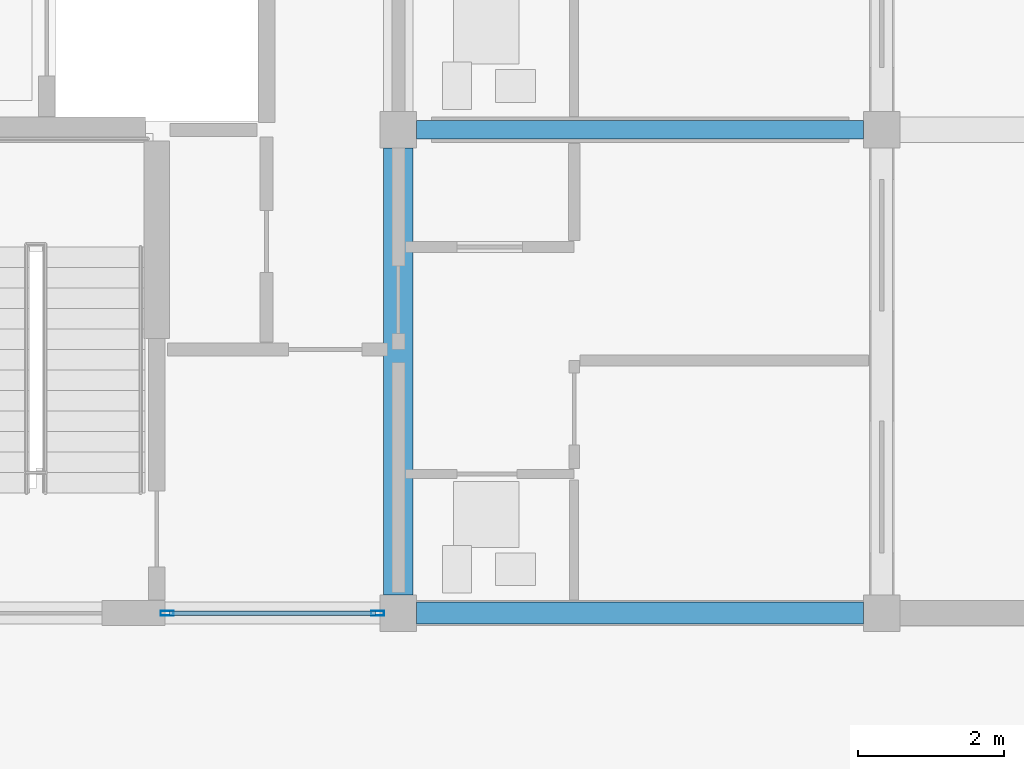
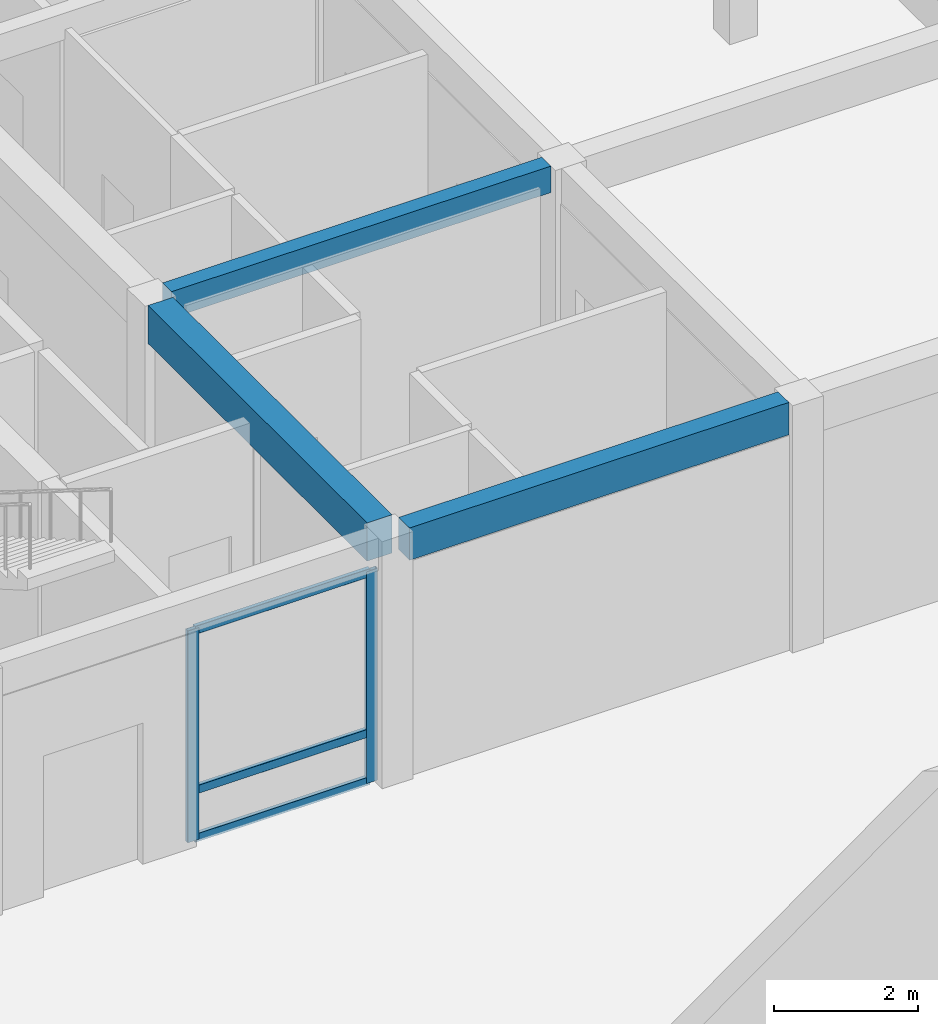
# One storey, part 38 of 75: 5 members, 3 beams, 1 element without a shape of its own.
"""IFC4 building model written with IfcOpenShell, lengths in metres."""

from ifc_helpers import new_model, si_unit, direction, frame, origin, origin_2d, place, context, subcontext, project, spatial, rectangle, hollow_rectangle, extrude, material, material_profile, profile_set, type_object, element, aggregate, save


model = new_model("IFC4")

# Units and contexts
model_context = context("Model", 3, precision=1e-05, world=origin(), true_north=direction((0.0, 1.0)))
body_context = subcontext(model_context, "Body", "Model", "MODEL_VIEW")
ifc_project = project(units=[si_unit("LENGTHUNIT", "METRE"), si_unit("AREAUNIT", "SQUARE_METRE"), si_unit("VOLUMEUNIT", "CUBIC_METRE"), si_unit("PLANEANGLEUNIT", "RADIAN"), si_unit("MASSUNIT", "GRAM", prefix="KILO")], contexts=[model_context])

# Site, building, storey
site_placement = place(None, origin())
site = spatial("IfcSite", under=ifc_project, at=site_placement, CompositionType="ELEMENT")
building_placement = place(site_placement, origin())
building = spatial("IfcBuilding", under=site, at=building_placement, Name="Kernevlak Ridge Housing Community", CompositionType="ELEMENT")
storey_placement = place(building_placement, origin())
storey = spatial("IfcBuildingStorey", under=building, at=storey_placement, Name="L00", CompositionType="ELEMENT", Elevation=0.0)

# Beams
ifc_material_1 = material(Name="Concrete C35/45", Category="concrete")
ifc_material_profile_1 = material_profile(ifc_material_1, rectangle(XDim=0.39990234375, YDim=0.64990234375, at=origin_2d()), Name="RC 400x650")
ifc_profile_set_1 = profile_set([ifc_material_profile_1], Name="Concrete C35/45")
beam_type_1 = type_object("IfcBeamType", Name="B-03", PredefinedType="T_BEAM", material=ifc_profile_set_1)
beam_1_placement = place(storey_placement, frame((139.199951171875, 15.85009765625, 3.875), z_axis=(0.0, 1.0, 0.0), x_axis=(-1.0, 0.0, 0.0)))
element("IfcBeam", 1, at=beam_1_placement, inside=storey, type_object=beam_type_1, Name="Beam B-03 L00 996", PredefinedType="T_BEAM", context=body_context, shape_type="SweptSolid", body=[
    extrude(rectangle(XDim=0.39990234375, YDim=0.64990234375, at=origin_2d()), origin(), (0.0, 0.0, 1.0), 6.099853515625),
])
ifc_material_profile_2 = material_profile(ifc_material_1, rectangle(XDim=0.25, YDim=0.449951171875, at=origin_2d()), Name="RC 250x450")
ifc_profile_set_2 = profile_set([ifc_material_profile_2], Name="Concrete C35/45")
beam_type_2 = type_object("IfcBeamType", Name="B-04", PredefinedType="T_BEAM", material=ifc_profile_set_2)
beam_2_placement = place(storey_placement, frame((139.449951171875, 22.199951171875, 3.97509765625), z_axis=(1.0, 0.0, 0.0), x_axis=(0.0, 1.0, 0.0)))
element("IfcBeam", 2, at=beam_2_placement, inside=storey, type_object=beam_type_2, Name="Beam B-04 L00 1008", PredefinedType="T_BEAM", context=body_context, shape_type="SweptSolid", body=[
    extrude(rectangle(XDim=0.25, YDim=0.449951171875, at=origin_2d()), origin(), (0.0, 0.0, 1.0), 6.10009765625),
])

# Curtain wall, members
ifc_material_2 = material(Name="Aluminium EN AW-6060 anodised and laminated glass", Category="aluminium")
curtain_wall_type = type_object("IfcCurtainWallType", Name="CW-13", PredefinedType="NOTDEFINED", material=ifc_material_2)
curtain_wall_placement = place(storey_placement, origin())
curtain_wall = element("IfcCurtainWall", 3, at=curtain_wall_placement, inside=storey, type_object=curtain_wall_type, Name="Curtain wall CW-13 CW-L00-101", PredefinedType="NOTDEFINED")
ifc_material_3 = material(Name="Aluminium EN AW-6060 anodised", Category="aluminium")
ifc_material_profile_3 = material_profile(ifc_material_3, hollow_rectangle(XDim=0.06494140625, YDim=0.179931640625, WallThickness=0.00439453125, InnerFilletRadius=0.001953125, OuterFilletRadius=0.00439453125, at=origin_2d()), Name="ALU 65x180x4.5")
ifc_profile_set_3 = profile_set([ifc_material_profile_3], Name="Aluminium EN AW-6060 anodised")
member_type_1 = type_object("IfcMemberType", Name="MU-03", PredefinedType="MULLION", material=ifc_profile_set_3)
member_1_placement = place(storey_placement, frame((136.04248046875, 15.60009765625, 0.0), z_axis=(0.0, 0.0, 1.0), x_axis=(0.0, 1.0, 0.0)))
member_1 = element("IfcMember", 4, at=member_1_placement, type_object=member_type_1, Name="CW-13 mullion 1", PredefinedType="MULLION", context=body_context, shape_type="SweptSolid", body=[
    extrude(hollow_rectangle(XDim=0.06494140625, YDim=0.179931640625, WallThickness=0.00439453125, InnerFilletRadius=0.001953125, OuterFilletRadius=0.00439453125, at=origin_2d()), origin(), (0.0, 0.0, 1.0), 3.60009765625),
])
member_2_placement = place(storey_placement, frame((138.91748046875, 15.60009765625, 0.0), z_axis=(0.0, 0.0, 1.0), x_axis=(0.0, 1.0, 0.0)))
member_2 = element("IfcMember", 5, at=member_2_placement, type_object=member_type_1, Name="CW-13 mullion 2", PredefinedType="MULLION", context=body_context, shape_type="SweptSolid", body=[
    extrude(hollow_rectangle(XDim=0.06494140625, YDim=0.179931640625, WallThickness=0.00439453125, InnerFilletRadius=0.001953125, OuterFilletRadius=0.00439453125, at=origin_2d()), origin(), (0.0, 0.0, 1.0), 3.60009765625),
])

# Beam
ifc_material_profile_4 = material_profile(ifc_material_1, rectangle(XDim=0.300048828125, YDim=0.550048828125, at=origin_2d()), Name="RC 300x550")
ifc_profile_set_4 = profile_set([ifc_material_profile_4], Name="Concrete C35/45")
beam_type_3 = type_object("IfcBeamType", Name="SP-01", PredefinedType="SPANDREL", material=ifc_profile_set_4)
beam_3_placement = place(storey_placement, frame((139.449951171875, 15.60009765625, 3.925048828125), z_axis=(1.0, 0.0, 0.0), x_axis=(0.0, 1.0, 0.0)))
element("IfcBeam", 6, at=beam_3_placement, inside=storey, type_object=beam_type_3, Name="Beam SP-01 L00 1006", PredefinedType="SPANDREL", context=body_context, shape_type="SweptSolid", body=[
    extrude(rectangle(XDim=0.300048828125, YDim=0.550048828125, at=origin_2d()), origin(), (0.0, 0.0, 1.0), 6.10009765625),
])

# Member
ifc_material_profile_5 = material_profile(ifc_material_3, hollow_rectangle(XDim=0.06494140625, YDim=0.139892578125, WallThickness=0.00390625, InnerFilletRadius=0.001953125, OuterFilletRadius=0.00390625, at=origin_2d()), Name="ALU 65x140x4")
ifc_profile_set_5 = profile_set([ifc_material_profile_5], Name="Aluminium EN AW-6060 anodised")
member_type_2 = type_object("IfcMemberType", Name="TM-03", PredefinedType="USERDEFINED", material=ifc_profile_set_5)
member_3_placement = place(storey_placement, frame((136.074951171875, 15.60009765625, 0.032470703125), z_axis=(1.0, 0.0, 0.0), x_axis=(0.0, 1.0, 0.0)))
member_3 = element("IfcMember", 7, at=member_3_placement, type_object=member_type_2, Name="CW-13 transom 1.1", ObjectType="TRANSOM", PredefinedType="USERDEFINED", context=body_context, shape_type="SweptSolid", body=[
    extrude(hollow_rectangle(XDim=0.06494140625, YDim=0.139892578125, WallThickness=0.00390625, InnerFilletRadius=0.001953125, OuterFilletRadius=0.00390625, at=origin_2d()), origin(), (0.0, 0.0, 1.0), 2.81005859375),
])

member_4_placement = place(storey_placement, frame((136.074951171875, 15.60009765625, 0.85009765625), z_axis=(1.0, 0.0, 0.0), x_axis=(0.0, 1.0, 0.0)))
member_4 = element("IfcMember", 8, at=member_4_placement, type_object=member_type_2, Name="CW-13 transom 1.2", ObjectType="TRANSOM", PredefinedType="USERDEFINED", context=body_context, shape_type="SweptSolid", body=[
    extrude(hollow_rectangle(XDim=0.06494140625, YDim=0.139892578125, WallThickness=0.00390625, InnerFilletRadius=0.001953125, OuterFilletRadius=0.00390625, at=origin_2d()), origin(), (0.0, 0.0, 1.0), 2.81005859375),
])

member_5_placement = place(storey_placement, frame((136.074951171875, 15.60009765625, 3.5673828125), z_axis=(1.0, 0.0, 0.0), x_axis=(0.0, 1.0, 0.0)))
member_5 = element("IfcMember", 9, at=member_5_placement, type_object=member_type_2, Name="CW-13 transom 1.3", ObjectType="TRANSOM", PredefinedType="USERDEFINED", context=body_context, shape_type="SweptSolid", body=[
    extrude(hollow_rectangle(XDim=0.06494140625, YDim=0.139892578125, WallThickness=0.00390625, InnerFilletRadius=0.001953125, OuterFilletRadius=0.00390625, at=origin_2d()), origin(), (0.0, 0.0, 1.0), 2.81005859375),
])

aggregate(curtain_wall, [member_1, member_2, member_3, member_4, member_5])

save(model, "model.ifc")
